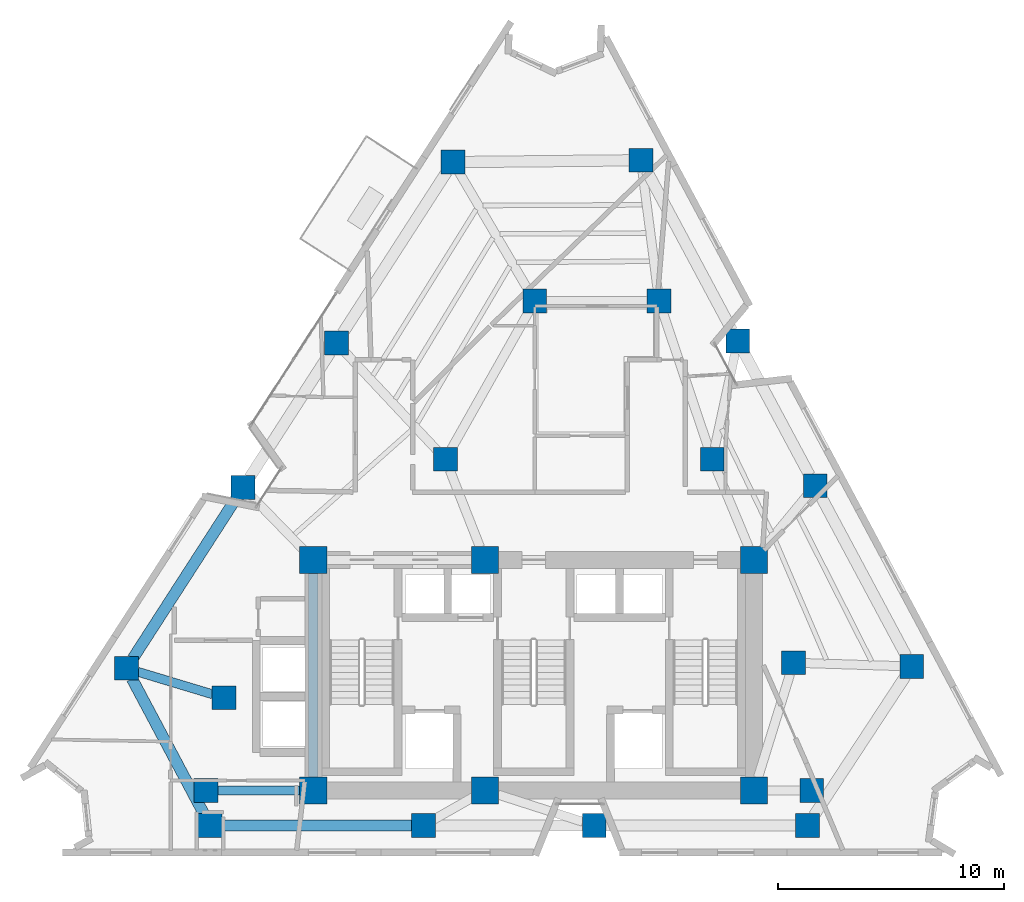
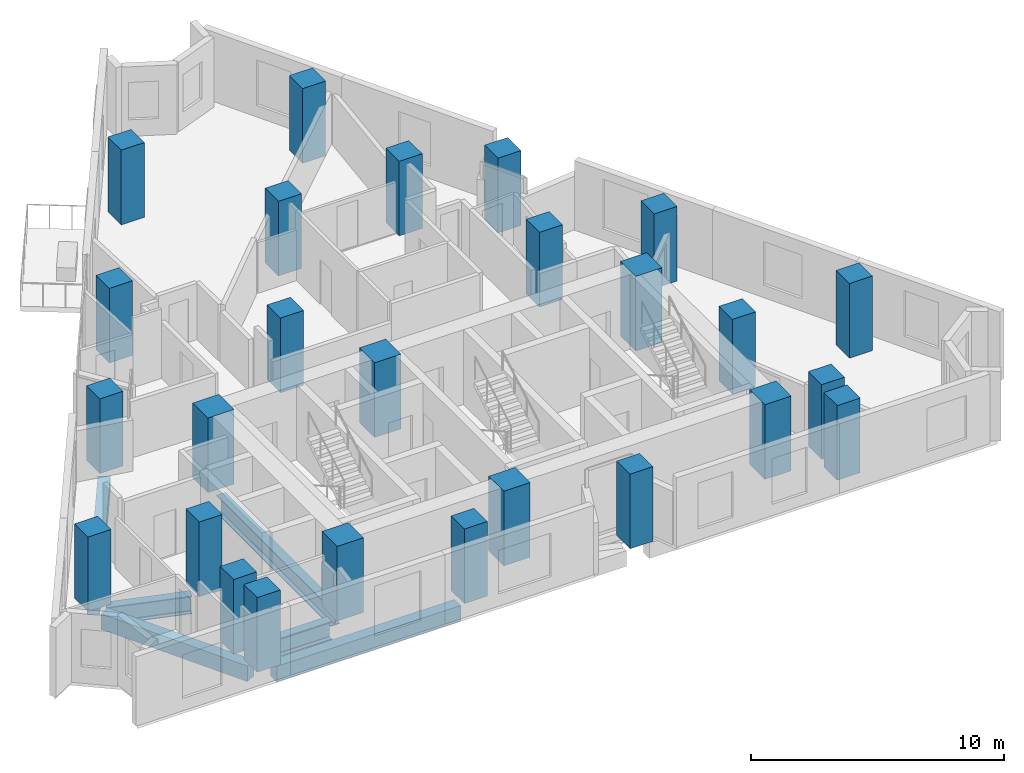
# One storey, part 1 of 10: 26 columns, 6 beams.
"""IFC4 building model written with IfcOpenShell, lengths in metres."""

from ifc_helpers import new_model, si_unit, direction, frame, origin, origin_2d, place, context, subcontext, project, spatial, rectangle, i_section, extrude, material, material_profile, profile_set, type_object, element, save


model = new_model("IFC4")

# Units and contexts
model_context = context("Model", 3, precision=1e-05, world=origin(), true_north=direction((0.0, 1.0)))
body_context = subcontext(model_context, "Body", "Model", "MODEL_VIEW")
ifc_project = project(units=[si_unit("LENGTHUNIT", "METRE"), si_unit("AREAUNIT", "SQUARE_METRE"), si_unit("VOLUMEUNIT", "CUBIC_METRE"), si_unit("PLANEANGLEUNIT", "RADIAN"), si_unit("MASSUNIT", "GRAM", prefix="KILO")], contexts=[model_context])

# Site, building, storey
site_placement = place(None, origin())
site = spatial("IfcSite", under=ifc_project, at=site_placement, CompositionType="ELEMENT")
building_placement = place(site_placement, origin())
building = spatial("IfcBuilding", under=site, at=building_placement, Name="Almagre Mirador Tower", CompositionType="ELEMENT")
storey_placement = place(building_placement, frame((0.0, 0.0, 186.0)))
storey = spatial("IfcBuildingStorey", under=building, at=storey_placement, Name="L48", CompositionType="ELEMENT", Elevation=186.0)

# Columns
ifc_material_1 = material(Name="Concrete C60/75", Category="concrete")
ifc_material_profile_1 = material_profile(ifc_material_1, rectangle(XDim=1.050048828125, YDim=1.050048828125, at=origin_2d()), Name="RC1050X1050")
ifc_profile_set_1 = profile_set([ifc_material_profile_1], Name="Concrete C60/75")
column_type_1 = type_object("IfcColumnType", Name="COL-RC1050", PredefinedType="COLUMN", material=ifc_profile_set_1)
for number, where, z_axis, x_axis, name in (
    (1, (22.800048828125, 4.550048828125, 0.0), (0.0, 0.0, 1.0), (1.0, 0.0, 0.0), "L48 interior transfer column MC1"),
    (2, (49.60009765625, 4.550048828125, 0.0), (0.0, 0.0, 1.0), (1.0, 0.0, 0.0), "L48 interior transfer column MC2"),
    (3, (48.800048828125, 10.199951171875, 0.0), (0.0, 0.0, 1.0), (1.0, 0.0, 0.0), "L48 interior transfer column MC3"),
    (4, (45.199951171875, 19.199951171875, 0.0), (0.0, 0.0, 1.0), (1.0, 0.0, 0.0), "L48 interior transfer column MC5"),
    (5, (42.85009765625, 26.199951171875, 0.0), (0.0, 0.0, 1.0), (1.0, 0.0, 0.0), "L48 interior transfer column MC6"),
    (6, (37.35009765625, 26.199951171875, 0.0), (0.0, 0.0, 1.0), (1.0, 0.0, 0.0), "L48 interior transfer column MC7"),
    (7, (33.39990234375, 19.199951171875, 0.0), (0.0, 0.0, 1.0), (1.0, 0.0, 0.0), "L48 interior transfer column MC8"),
    (8, (23.60009765625, 8.64990234375, 0.0), (0.0, 0.0, 1.0), (1.0, 0.0, 0.0), "L48 interior transfer column MC10"),
    (9, (22.98388671875, 3.0, 0.0), (0.0, 0.0, 1.0), (1.0, 0.0, 0.0), "L48 perimeter column PC01"),
    (10, (32.424072265625, 3.0, 0.0), (0.0, 0.0, 1.0), (1.0, 0.0, 0.0), "L48 perimeter column PC02"),
    (11, (39.97607421875, 3.0, 0.0), (0.0, 0.0, 1.0), (1.0, 0.0, 0.0), "L48 perimeter column PC03"),
    (12, (49.416015625, 3.0, 0.0), (0.0, 0.0, 1.0), (1.0, 0.0, 0.0), "L48 perimeter column PC04"),
    (13, (54.033935546875, 10.033935546875, 0.0), (0.0, 0.0, 1.0), (1.0, 0.0, 0.0), "L48 perimeter column PC05"),
    (14, (49.75390625, 18.033935546875, 0.0), (0.0, 0.0, 1.0), (1.0, 0.0, 0.0), "L48 perimeter column PC06"),
    (15, (46.330078125, 24.43408203125, 0.0), (0.0, 0.0, 1.0), (1.0, 0.0, 0.0), "L48 perimeter column PC07"),
    (16, (42.050048828125, 32.43408203125, 0.0), (0.0, 0.0, 1.0), (1.0, 0.0, 0.0), "L48 perimeter column PC08"),
    (17, (33.73193359375, 32.35009765625, 0.0), (0.0, 0.0, 1.0), (1.0, 0.0, 0.0), "L48 perimeter column PC09"),
    (18, (28.572021484375, 24.35009765625, 0.0), (0.0, 0.0, 1.0), (1.0, 0.0, 0.0), "L48 perimeter column PC10"),
    (19, (24.444091796875, 17.949951171875, 0.0), (0.0, 0.0, 1.0), (1.0, 0.0, 0.0), "L48 perimeter column PC11"),
    (20, (19.283935546875, 9.949951171875, 0.0), (0.0, 0.0, 1.0), (1.0, 0.0, 0.0), "L48 perimeter column PC12"),
):
    element("IfcColumn", number, at=place(storey_placement, frame(where, z_axis=z_axis, x_axis=x_axis)), inside=storey, type_object=column_type_1, Name=name, PredefinedType="COLUMN", context=body_context, shape_type="SweptSolid", body=[
        extrude(rectangle(XDim=1.050048828125, YDim=1.050048828125, at=origin_2d()), origin(), (0.0, 0.0, 1.0), 3.60009765625),
    ])
ifc_material_2 = material(Name="Concrete C60/75", Category="concrete")
ifc_material_profile_2 = material_profile(ifc_material_2, rectangle(XDim=1.199951171875, YDim=1.199951171875, at=origin_2d()), Name="RC1200X1200")
ifc_profile_set_2 = profile_set([ifc_material_profile_2], Name="Concrete C60/75")
column_type_2 = type_object("IfcColumnType", Name="COL-RC1200", PredefinedType="COLUMN", material=ifc_profile_set_2)
for number, where, z_axis, x_axis, name in (
    (21, (27.550048828125, 4.550048828125, 0.0), (0.0, 0.0, 1.0), (1.0, 0.0, 0.0), "L48 core spine column CC1"),
    (22, (35.14990234375, 4.550048828125, 0.0), (0.0, 0.0, 1.0), (1.0, 0.0, 0.0), "L48 core spine column CC2"),
    (23, (47.050048828125, 4.550048828125, 0.0), (0.0, 0.0, 1.0), (1.0, 0.0, 0.0), "L48 core spine column CC3"),
    (24, (27.550048828125, 14.75, 0.0), (0.0, 0.0, 1.0), (1.0, 0.0, 0.0), "L48 core spine column CC4"),
    (25, (35.14990234375, 14.75, 0.0), (0.0, 0.0, 1.0), (1.0, 0.0, 0.0), "L48 core spine column CC5"),
    (26, (47.050048828125, 14.75, 0.0), (0.0, 0.0, 1.0), (1.0, 0.0, 0.0), "L48 core spine column CC6"),
):
    element("IfcColumn", number, at=place(storey_placement, frame(where, z_axis=z_axis, x_axis=x_axis)), inside=storey, type_object=column_type_2, Name=name, PredefinedType="COLUMN", context=body_context, shape_type="SweptSolid", body=[
        extrude(rectangle(XDim=1.199951171875, YDim=1.199951171875, at=origin_2d()), origin(), (0.0, 0.0, 1.0), 3.60009765625),
    ])

# Beams
ifc_material_3 = material(Name="Precast concrete C50/60", Category="concrete")
ifc_material_profile_3 = material_profile(ifc_material_3, rectangle(XDim=0.5, YDim=0.75, at=origin_2d()), Name="RC500X750")
ifc_profile_set_3 = profile_set([ifc_material_profile_3], Name="Precast concrete C50/60")
beam_type_1 = type_object("IfcBeamType", Name="BM-SPN-RC500X750", PredefinedType="SPANDREL", material=ifc_profile_set_3)
beam_1_placement = place(storey_placement, frame((23.509033203125, 3.0, -0.625), z_axis=(1.0, 0.0, 0.0), x_axis=(0.0, 1.0, 0.0)))
element("IfcBeam", 27, at=beam_1_placement, inside=storey, type_object=beam_type_1, Name="L48 perimeter spandrel beam PC01-PC02", PredefinedType="SPANDREL", context=body_context, shape_type="SweptSolid", body=[
    extrude(rectangle(XDim=0.5, YDim=0.75, at=origin_2d()), origin(), (0.0, 0.0, 1.0), 8.389892578125),
])
beam_2_placement = place(storey_placement, frame((24.159423828125, 17.5087890625, -0.625), z_axis=(-0.542024442959, -0.840362721231, 0.0), x_axis=(0.840362721231, -0.542024442959, 0.0)))
element("IfcBeam", 28, at=beam_2_placement, inside=storey, type_object=beam_type_1, Name="L48 perimeter spandrel beam PC11-PC12", PredefinedType="SPANDREL", context=body_context, shape_type="SweptSolid", body=[
    extrude(rectangle(XDim=0.5, YDim=0.75, at=origin_2d()), origin(), (0.0, 0.0, 1.0), 8.4697265625),
])
beam_3_placement = place(storey_placement, frame((19.53076171875, 9.486572265625, -0.625), z_axis=(0.469923278173, -0.882707263271, 0.0), x_axis=(0.882707263271, 0.469923278173, 0.0)))
element("IfcBeam", 29, at=beam_3_placement, inside=storey, type_object=beam_type_1, Name="L48 perimeter spandrel beam PC12-PC01", PredefinedType="SPANDREL", context=body_context, shape_type="SweptSolid", body=[
    extrude(rectangle(XDim=0.5, YDim=0.75, at=origin_2d()), origin(), (0.0, 0.0, 1.0), 6.823486328125),
])
ifc_material_4 = material(Name="Steel ASTM A992 Grade 50", Category="steel")
ifc_material_profile_4 = material_profile(ifc_material_4, i_section(OverallWidth=0.39892578125, OverallDepth=0.85595703125, WebThickness=0.018310546875, FlangeThickness=0.029296875, FilletRadius=0.02490234375, at=origin_2d()), Name="W33X201")
ifc_profile_set_4 = profile_set([ifc_material_profile_4], Name="Steel ASTM A992 Grade 50")
beam_type_2 = type_object("IfcBeamType", Name="BM-STL-W33X201", PredefinedType="BEAM", material=ifc_profile_set_4)
beam_4_placement = place(storey_placement, frame((19.78662109375, 9.798583984375, -0.677978515625), z_axis=(0.957520639222, -0.288364743794, 0.0), x_axis=(0.288364743794, 0.957520639222, 0.0)))
element("IfcBeam", 30, at=beam_4_placement, inside=storey, type_object=beam_type_2, Name="L48 radial floor girder PC12-MC10", PredefinedType="BEAM", context=body_context, shape_type="SweptSolid", body=[
    extrude(i_section(OverallWidth=0.39892578125, OverallDepth=0.85595703125, WebThickness=0.018310546875, FlangeThickness=0.029296875, FilletRadius=0.02490234375, at=origin_2d()), origin(), (0.0, 0.0, 1.0), 3.457763671875),
])
ifc_material_5 = material(Name="Steel ASTM A992 Grade 50", Category="steel")
ifc_material_profile_5 = material_profile(ifc_material_5, i_section(OverallWidth=0.404052734375, OverallDepth=0.884033203125, WebThickness=0.0244140625, FlangeThickness=0.0439453125, FilletRadius=0.02490234375, at=origin_2d()), Name="W33X291")
ifc_profile_set_5 = profile_set([ifc_material_profile_5], Name="Steel ASTM A992 Grade 50")
beam_type_3 = type_object("IfcBeamType", Name="BM-STL-W33X291", PredefinedType="BEAM", material=ifc_profile_set_5)
beam_5_placement = place(storey_placement, frame((27.550048828125, 5.14990234375, -0.69189453125), z_axis=(0.0, 1.0, 0.0), x_axis=(-1.0, 0.0, 0.0)))
element("IfcBeam", 31, at=beam_5_placement, inside=storey, type_object=beam_type_3, Name="L48 core tie girder CC1-CC4", PredefinedType="BEAM", context=body_context, shape_type="SweptSolid", body=[
    extrude(i_section(OverallWidth=0.404052734375, OverallDepth=0.884033203125, WebThickness=0.0244140625, FlangeThickness=0.0439453125, FilletRadius=0.02490234375, at=origin_2d()), origin(), (0.0, 0.0, 1.0), 9.0),
])
beam_6_placement = place(storey_placement, frame((23.324951171875, 4.550048828125, -0.69189453125), z_axis=(1.0, 0.0, 0.0), x_axis=(0.0, 1.0, 0.0)))
element("IfcBeam", 32, at=beam_6_placement, inside=storey, type_object=beam_type_3, Name="L48 core tie girder MC1-CC1", PredefinedType="BEAM", context=body_context, shape_type="SweptSolid", body=[
    extrude(i_section(OverallWidth=0.404052734375, OverallDepth=0.884033203125, WebThickness=0.0244140625, FlangeThickness=0.0439453125, FilletRadius=0.02490234375, at=origin_2d()), origin(), (0.0, 0.0, 1.0), 3.625),
])

save(model, "model.ifc")
